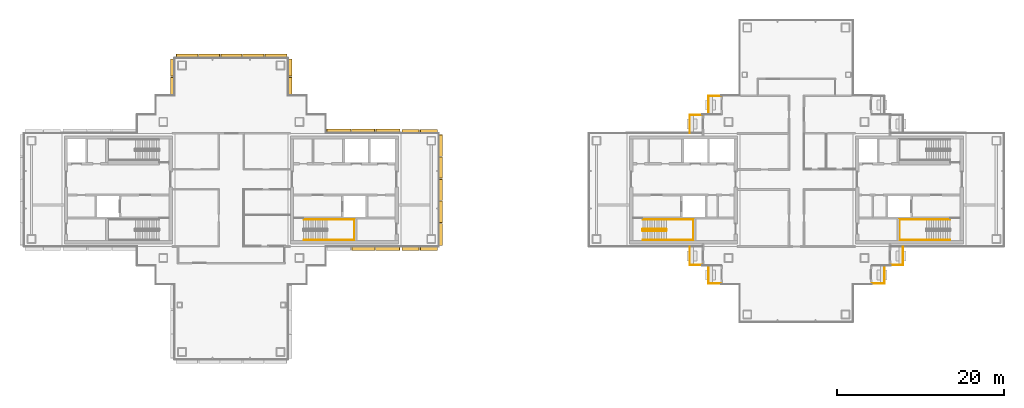
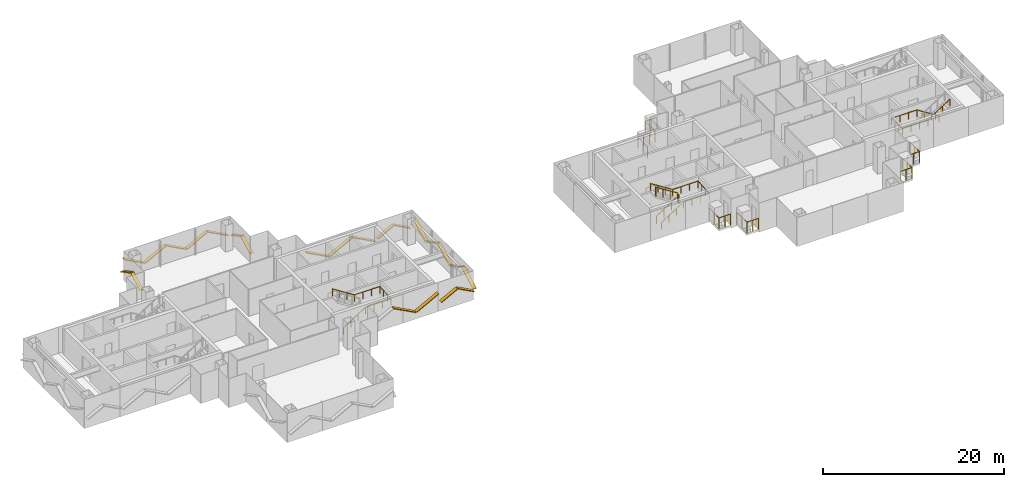
# One storey, part 15 of 17: 23 shading devices, 10 railings.
"""IFC4 building model written with IfcOpenShell, lengths in metres."""

from ifc_helpers import new_model, si_unit, direction, frame, origin, origin_2d, place, context, subcontext, project, spatial, rectangle, circle, extrude, material, material_profile, profile_set, type_object, element, save


model = new_model("IFC4")

# Units and contexts
model_context = context("Model", 3, precision=1e-05, world=origin(), true_north=direction((0.0, 1.0)))
body_context = subcontext(model_context, "Body", "Model", "MODEL_VIEW")
ifc_project = project(units=[si_unit("LENGTHUNIT", "METRE"), si_unit("AREAUNIT", "SQUARE_METRE"), si_unit("VOLUMEUNIT", "CUBIC_METRE"), si_unit("PLANEANGLEUNIT", "RADIAN"), si_unit("MASSUNIT", "GRAM", prefix="KILO")], contexts=[model_context])

# Site, building, storey
site_placement = place(None, origin())
site = spatial("IfcSite", under=ifc_project, at=site_placement, CompositionType="ELEMENT")
building_placement = place(site_placement, origin())
building = spatial("IfcBuilding", under=site, at=building_placement, Name="Shamsa Quay Exchange Towers", CompositionType="ELEMENT")
storey_placement = place(building_placement, frame((0.0, 0.0, 198.300048828125)))
storey = spatial("IfcBuildingStorey", under=building, at=storey_placement, Name="L47", CompositionType="ELEMENT", Elevation=198.300048828125)

# Railings
ifc_material_1 = material(Name="Steel S355, black powder-coated", Category="steel")
railing_type_1 = type_object("IfcRailingType", Name="BALCONY GUARD 1500", PredefinedType="GUARDRAIL", material=ifc_material_1)
for number, where, name in (
    (1, (24.72900390625, 11.199951171875, 0.0), "Balcony guard T2-PKEN L47"),
    (2, (22.47900390625, 8.949951171875, 0.0), "Balcony guard T2-PKEN L47"),
):
    element("IfcRailing", number, at=place(storey_placement, frame(where)), inside=storey, type_object=railing_type_1, Name=name, PredefinedType="GUARDRAIL", context=body_context, shape_type="SweptSolid", body=[
        extrude(circle(Radius=0.02392578125, at=origin_2d()), frame((0.0, 0.0, 1.47607421875), z_axis=(-1.0, 0.0, 0.0), x_axis=(0.0, -1.0, 0.0)), (0.0, 0.0, 1.0), 1.47900390625),
        extrude(circle(Radius=0.02392578125, at=origin_2d()), frame((-1.47900390625, 0.0, 1.47607421875), z_axis=(0.0, -1.0, 0.0), x_axis=(1.0, 0.0, 0.0)), (0.0, 0.0, 1.0), 2.161865234375),
        extrude(circle(Radius=0.02099609375, at=origin_2d()), origin(), (0.0, 0.0, 1.0), 1.451904296875),
        extrude(circle(Radius=0.02099609375, at=origin_2d()), frame((-0.739501953125, 0.0, 0.0)), (0.0, 0.0, 1.0), 1.451904296875),
        extrude(circle(Radius=0.02099609375, at=origin_2d()), frame((-1.47900390625, 0.0, 0.0)), (0.0, 0.0, 1.0), 1.451904296875),
        extrude(circle(Radius=0.02099609375, at=origin_2d()), frame((-1.47900390625, -1.0810546875, 0.0)), (0.0, 0.0, 1.0), 1.451904296875),
        extrude(circle(Radius=0.02099609375, at=origin_2d()), frame((-1.47900390625, -2.161865234375, 0.0)), (0.0, 0.0, 1.0), 1.451904296875),
    ])
for number, where, name in (
    (3, (21.0, -6.7880859375, 0.0), "Balcony guard T2-PKWN L47"),
    (4, (23.25, -9.0380859375, 0.0), "Balcony guard T2-PKWN L47"),
):
    element("IfcRailing", number, at=place(storey_placement, frame(where)), inside=storey, type_object=railing_type_1, Name=name, PredefinedType="GUARDRAIL", context=body_context, shape_type="SweptSolid", body=[
        extrude(circle(Radius=0.02392578125, at=origin_2d()), frame((0.0, 0.0, 1.47607421875), z_axis=(0.0, -1.0, 0.0), x_axis=(1.0, 0.0, 0.0)), (0.0, 0.0, 1.0), 2.161865234375),
        extrude(circle(Radius=0.02392578125, at=origin_2d()), frame((0.0, -2.161865234375, 1.47607421875), z_axis=(1.0, 0.0, 0.0), x_axis=(0.0, 1.0, 0.0)), (0.0, 0.0, 1.0), 1.47900390625),
        extrude(circle(Radius=0.02099609375, at=origin_2d()), origin(), (0.0, 0.0, 1.0), 1.451904296875),
        extrude(circle(Radius=0.02099609375, at=origin_2d()), frame((0.0, -1.0810546875, 0.0)), (0.0, 0.0, 1.0), 1.451904296875),
        extrude(circle(Radius=0.02099609375, at=origin_2d()), frame((0.0, -2.161865234375, 0.0)), (0.0, 0.0, 1.0), 1.451904296875),
        extrude(circle(Radius=0.02099609375, at=origin_2d()), frame((0.739501953125, -2.161865234375, 0.0)), (0.0, 0.0, 1.0), 1.451904296875),
        extrude(circle(Radius=0.02099609375, at=origin_2d()), frame((1.47900390625, -2.161865234375, 0.0)), (0.0, 0.0, 1.0), 1.451904296875),
    ])
for number, where, name in (
    (5, (42.77099609375, -11.199951171875, 0.0), "Balcony guard T2-PKWS L47"),
    (6, (45.02099609375, -8.949951171875, 0.0), "Balcony guard T2-PKWS L47"),
):
    element("IfcRailing", number, at=place(storey_placement, frame(where)), inside=storey, type_object=railing_type_1, Name=name, PredefinedType="GUARDRAIL", context=body_context, shape_type="SweptSolid", body=[
        extrude(circle(Radius=0.02392578125, at=origin_2d()), frame((0.0, 0.0, 1.47607421875), z_axis=(1.0, 0.0, 0.0), x_axis=(0.0, 1.0, 0.0)), (0.0, 0.0, 1.0), 1.47900390625),
        extrude(circle(Radius=0.02392578125, at=origin_2d()), frame((1.47900390625, 0.0, 1.47607421875), z_axis=(0.0, 1.0, 0.0), x_axis=(-1.0, 0.0, 0.0)), (0.0, 0.0, 1.0), 2.161865234375),
        extrude(circle(Radius=0.02099609375, at=origin_2d()), origin(), (0.0, 0.0, 1.0), 1.451904296875),
        extrude(circle(Radius=0.02099609375, at=origin_2d()), frame((0.739501953125, 0.0, 0.0)), (0.0, 0.0, 1.0), 1.451904296875),
        extrude(circle(Radius=0.02099609375, at=origin_2d()), frame((1.47900390625, 0.0, 0.0)), (0.0, 0.0, 1.0), 1.451904296875),
        extrude(circle(Radius=0.02099609375, at=origin_2d()), frame((1.47900390625, 1.0810546875, 0.0)), (0.0, 0.0, 1.0), 1.451904296875),
        extrude(circle(Radius=0.02099609375, at=origin_2d()), frame((1.47900390625, 2.161865234375, 0.0)), (0.0, 0.0, 1.0), 1.451904296875),
    ])

# Shading devices
ifc_material_2 = material(Name="Aluminium EN AW-6063 T6, black anodised", Category="aluminium")
ifc_material_profile = material_profile(ifc_material_2, rectangle(XDim=0.449951171875, YDim=0.10009765625, at=origin_2d()), Name="FIN450x100")
ifc_profile_set = profile_set([ifc_material_profile], Name="Aluminium EN AW-6063 T6, black anodised")
shading_device_type = type_object("IfcShadingDeviceType", Name="FIN 450x100 BLACK ALUMINIUM", PredefinedType="USERDEFINED", material=ifc_profile_set)
shading_device_1_placement = place(storey_placement, frame((-19.374755859375, -7.01904296875, 2.341064453125), z_axis=(0.882932416125, 0.0, -0.469500104957), x_axis=(0.0, 1.0, 0.0)))
element("IfcShadingDevice", 7, at=shading_device_1_placement, inside=storey, type_object=shading_device_type, Name="FIN T1 chevron rib", ObjectType="FIN", PredefinedType="USERDEFINED", context=body_context, shape_type="SweptSolid", body=[
    extrude(rectangle(XDim=0.449951171875, YDim=0.10009765625, at=origin_2d()), origin(), (0.0, 0.0, 1.0), 3.156982421875),
])
shading_device_2_placement = place(storey_placement, frame((-16.4873046875, -7.01904296875, 0.845703125), z_axis=(0.882964189293, 0.0, 0.469440348102), x_axis=(0.0, 1.0, 0.0)))
element("IfcShadingDevice", 8, at=shading_device_2_placement, inside=storey, type_object=shading_device_type, Name="FIN T1 chevron rib", ObjectType="FIN", PredefinedType="USERDEFINED", context=body_context, shape_type="SweptSolid", body=[
    extrude(rectangle(XDim=0.449951171875, YDim=0.10009765625, at=origin_2d()), origin(), (0.0, 0.0, 1.0), 3.21337890625),
])
for number, where, z_axis, x_axis, name in (
    (9, (-13.35009765625, -7.014892578125, 1.054931640625), (0.882937310539, 0.0, 0.469490900507), (0.0, 1.0, 0.0), "FIN T1 chevron rib"),
    (10, (-11.199951171875, -7.014892578125, 2.14501953125), (0.882937310539, 0.0, -0.469490900507), (0.0, 1.0, 0.0), "FIN T1 chevron rib"),
):
    element("IfcShadingDevice", number, at=place(storey_placement, frame(where, z_axis=z_axis, x_axis=x_axis)), inside=storey, type_object=shading_device_type, Name=name, ObjectType="FIN", PredefinedType="USERDEFINED", context=body_context, shape_type="SweptSolid", body=[
        extrude(rectangle(XDim=0.449951171875, YDim=0.10009765625, at=origin_2d()), origin(), (0.0, 0.0, 1.0), 2.32177734375),
    ])
shading_device_3_placement = place(storey_placement, frame((-8.735107421875, -6.60009765625, 0.911376953125), z_axis=(0.0, 0.882944327895, 0.469477703238), x_axis=(-1.0, 0.0, 0.0)))
element("IfcShadingDevice", 11, at=shading_device_3_placement, inside=storey, type_object=shading_device_type, Name="FIN T1 chevron rib", ObjectType="FIN", PredefinedType="USERDEFINED", context=body_context, shape_type="SweptSolid", body=[
    extrude(rectangle(XDim=0.449951171875, YDim=0.10009765625, at=origin_2d()), origin(), (0.0, 0.0, 1.0), 2.933349609375),
])
shading_device_4_placement = place(storey_placement, frame((-8.735107421875, -3.909912109375, 2.275146484375), z_axis=(0.0, 0.882925540975, -0.469513033997), x_axis=(-1.0, 0.0, 0.0)))
element("IfcShadingDevice", 12, at=shading_device_4_placement, inside=storey, type_object=shading_device_type, Name="FIN T1 chevron rib", ObjectType="FIN", PredefinedType="USERDEFINED", context=body_context, shape_type="SweptSolid", body=[
    extrude(rectangle(XDim=0.449951171875, YDim=0.10009765625, at=origin_2d()), origin(), (0.0, 0.0, 1.0), 2.87646484375),
])
shading_device_5_placement = place(storey_placement, frame((-8.735107421875, -1.27001953125, 0.924560546875), z_axis=(0.0, 0.882944248312, 0.469477852909), x_axis=(-1.0, 0.0, 0.0)))
element("IfcShadingDevice", 13, at=shading_device_5_placement, inside=storey, type_object=shading_device_type, Name="FIN T1 chevron rib", ObjectType="FIN", PredefinedType="USERDEFINED", context=body_context, shape_type="SweptSolid", body=[
    extrude(rectangle(XDim=0.449951171875, YDim=0.10009765625, at=origin_2d()), origin(), (0.0, 0.0, 1.0), 2.876708984375),
])
shading_device_6_placement = place(storey_placement, frame((-8.735107421875, 1.3701171875, 2.275146484375), z_axis=(0.0, 0.882925540975, -0.469513033997), x_axis=(-1.0, 0.0, 0.0)))
element("IfcShadingDevice", 14, at=shading_device_6_placement, inside=storey, type_object=shading_device_type, Name="FIN T1 chevron rib", ObjectType="FIN", PredefinedType="USERDEFINED", context=body_context, shape_type="SweptSolid", body=[
    extrude(rectangle(XDim=0.449951171875, YDim=0.10009765625, at=origin_2d()), origin(), (0.0, 0.0, 1.0), 2.87646484375),
])
shading_device_7_placement = place(storey_placement, frame((-8.735107421875, 4.010009765625, 0.911376953125), z_axis=(0.0, 0.882944327895, 0.469477703238), x_axis=(-1.0, 0.0, 0.0)))
element("IfcShadingDevice", 15, at=shading_device_7_placement, inside=storey, type_object=shading_device_type, Name="FIN T1 chevron rib", ObjectType="FIN", PredefinedType="USERDEFINED", context=body_context, shape_type="SweptSolid", body=[
    extrude(rectangle(XDim=0.449951171875, YDim=0.10009765625, at=origin_2d()), origin(), (0.0, 0.0, 1.0), 2.933349609375),
])
for number, where, z_axis, x_axis, name in (
    (16, (-9.14990234375, 7.014892578125, 1.054931640625), (-0.882937310539, 0.0, 0.469490900507), (0.0, -1.0, 0.0), "FIN T1 chevron rib"),
    (17, (-11.300048828125, 7.014892578125, 2.14501953125), (-0.882937310539, 0.0, -0.469490900507), (0.0, -1.0, 0.0), "FIN T1 chevron rib"),
):
    element("IfcShadingDevice", number, at=place(storey_placement, frame(where, z_axis=z_axis, x_axis=x_axis)), inside=storey, type_object=shading_device_type, Name=name, ObjectType="FIN", PredefinedType="USERDEFINED", context=body_context, shape_type="SweptSolid", body=[
        extrude(rectangle(XDim=0.449951171875, YDim=0.10009765625, at=origin_2d()), origin(), (0.0, 0.0, 1.0), 2.32177734375),
    ])
shading_device_8_placement = place(storey_placement, frame((-13.64990234375, 7.01904296875, 0.84228515625), z_axis=(-0.882953107739, 0.0, 0.469461190658), x_axis=(0.0, -1.0, 0.0)))
element("IfcShadingDevice", 18, at=shading_device_8_placement, inside=storey, type_object=shading_device_type, Name="FIN T1 chevron rib", ObjectType="FIN", PredefinedType="USERDEFINED", context=body_context, shape_type="SweptSolid", body=[
    extrude(rectangle(XDim=0.449951171875, YDim=0.10009765625, at=origin_2d()), origin(), (0.0, 0.0, 1.0), 3.22802734375),
])
shading_device_9_placement = place(storey_placement, frame((-16.60009765625, 7.01904296875, 2.34423828125), z_axis=(-0.882936223509, 0.0, -0.469492944799), x_axis=(0.0, -1.0, 0.0)))
element("IfcShadingDevice", 19, at=shading_device_9_placement, inside=storey, type_object=shading_device_type, Name="FIN T1 chevron rib", ObjectType="FIN", PredefinedType="USERDEFINED", context=body_context, shape_type="SweptSolid", body=[
    extrude(rectangle(XDim=0.449951171875, YDim=0.10009765625, at=origin_2d()), origin(), (0.0, 0.0, 1.0), 3.1708984375),
])
shading_device_10_placement = place(storey_placement, frame((-19.5, 7.01904296875, 0.84228515625), z_axis=(-0.882953107739, 0.0, 0.469461190658), x_axis=(0.0, -1.0, 0.0)))
element("IfcShadingDevice", 20, at=shading_device_10_placement, inside=storey, type_object=shading_device_type, Name="FIN T1 chevron rib", ObjectType="FIN", PredefinedType="USERDEFINED", context=body_context, shape_type="SweptSolid", body=[
    extrude(rectangle(XDim=0.449951171875, YDim=0.10009765625, at=origin_2d()), origin(), (0.0, 0.0, 1.0), 3.22802734375),
])
for number, where, z_axis, x_axis, name in (
    (21, (-26.735107421875, 11.43798828125, 1.06005859375), (0.0, 0.882960384929, 0.469447503611), (-1.0, 0.0, 0.0), "FIN T1 chevron rib"),
    (22, (-26.735107421875, 13.569091796875, 2.139892578125), (0.0, 0.882960384929, -0.469447503611), (-1.0, 0.0, 0.0), "FIN T1 chevron rib"),
):
    element("IfcShadingDevice", number, at=place(storey_placement, frame(where, z_axis=z_axis, x_axis=x_axis)), inside=storey, type_object=shading_device_type, Name=name, ObjectType="FIN", PredefinedType="USERDEFINED", context=body_context, shape_type="SweptSolid", body=[
        extrude(rectangle(XDim=0.449951171875, YDim=0.10009765625, at=origin_2d()), origin(), (0.0, 0.0, 1.0), 2.30029296875),
    ])
shading_device_11_placement = place(storey_placement, frame((-27.14990234375, 16.014892578125, 0.911376953125), z_axis=(-0.882944327895, 0.0, 0.469477703238), x_axis=(0.0, -1.0, 0.0)))
element("IfcShadingDevice", 23, at=shading_device_11_placement, inside=storey, type_object=shading_device_type, Name="FIN T1 chevron rib", ObjectType="FIN", PredefinedType="USERDEFINED", context=body_context, shape_type="SweptSolid", body=[
    extrude(rectangle(XDim=0.449951171875, YDim=0.10009765625, at=origin_2d()), origin(), (0.0, 0.0, 1.0), 2.933349609375),
])
shading_device_12_placement = place(storey_placement, frame((-29.840087890625, 16.014892578125, 2.275146484375), z_axis=(-0.882925540975, 0.0, -0.469513033997), x_axis=(0.0, -1.0, 0.0)))
element("IfcShadingDevice", 24, at=shading_device_12_placement, inside=storey, type_object=shading_device_type, Name="FIN T1 chevron rib", ObjectType="FIN", PredefinedType="USERDEFINED", context=body_context, shape_type="SweptSolid", body=[
    extrude(rectangle(XDim=0.449951171875, YDim=0.10009765625, at=origin_2d()), origin(), (0.0, 0.0, 1.0), 2.87646484375),
])
shading_device_13_placement = place(storey_placement, frame((-32.47998046875, 16.014892578125, 0.924560546875), z_axis=(-0.882944248312, 0.0, 0.469477852909), x_axis=(0.0, -1.0, 0.0)))
element("IfcShadingDevice", 25, at=shading_device_13_placement, inside=storey, type_object=shading_device_type, Name="FIN T1 chevron rib", ObjectType="FIN", PredefinedType="USERDEFINED", context=body_context, shape_type="SweptSolid", body=[
    extrude(rectangle(XDim=0.449951171875, YDim=0.10009765625, at=origin_2d()), origin(), (0.0, 0.0, 1.0), 2.876708984375),
])
shading_device_14_placement = place(storey_placement, frame((-35.1201171875, 16.014892578125, 2.275146484375), z_axis=(-0.882925540975, 0.0, -0.469513033997), x_axis=(0.0, -1.0, 0.0)))
element("IfcShadingDevice", 26, at=shading_device_14_placement, inside=storey, type_object=shading_device_type, Name="FIN T1 chevron rib", ObjectType="FIN", PredefinedType="USERDEFINED", context=body_context, shape_type="SweptSolid", body=[
    extrude(rectangle(XDim=0.449951171875, YDim=0.10009765625, at=origin_2d()), origin(), (0.0, 0.0, 1.0), 2.87646484375),
])
shading_device_15_placement = place(storey_placement, frame((-37.760009765625, 16.014892578125, 0.911376953125), z_axis=(-0.882944327895, 0.0, 0.469477703238), x_axis=(0.0, -1.0, 0.0)))
element("IfcShadingDevice", 27, at=shading_device_15_placement, inside=storey, type_object=shading_device_type, Name="FIN T1 chevron rib", ObjectType="FIN", PredefinedType="USERDEFINED", context=body_context, shape_type="SweptSolid", body=[
    extrude(rectangle(XDim=0.449951171875, YDim=0.10009765625, at=origin_2d()), origin(), (0.0, 0.0, 1.0), 2.933349609375),
])
for number, where, z_axis, x_axis, name in (
    (28, (-40.764892578125, 15.60009765625, 1.054931640625), (0.0, -0.882937310539, 0.469490900507), (1.0, 0.0, 0.0), "FIN T1 chevron rib"),
    (29, (-40.764892578125, 13.449951171875, 2.14501953125), (0.0, -0.882937310539, -0.469490900507), (1.0, 0.0, 0.0), "FIN T1 chevron rib"),
):
    element("IfcShadingDevice", number, at=place(storey_placement, frame(where, z_axis=z_axis, x_axis=x_axis)), inside=storey, type_object=shading_device_type, Name=name, ObjectType="FIN", PredefinedType="USERDEFINED", context=body_context, shape_type="SweptSolid", body=[
        extrude(rectangle(XDim=0.449951171875, YDim=0.10009765625, at=origin_2d()), origin(), (0.0, 0.0, 1.0), 2.32177734375),
    ])

# Railings
ifc_material_3 = material(Name="Stainless steel", Category="steel")
railing_type_2 = type_object("IfcRailingType", Name="STAIR GUARD 1100", PredefinedType="GUARDRAIL", material=ifc_material_3)
railing_1_placement = place(storey_placement, frame((15.39990234375, -4.89990234375, 0.17724609375)))
element("IfcRailing", 30, at=railing_1_placement, inside=storey, type_object=railing_type_2, Name="L47 ST4 stair guard 1", PredefinedType="GUARDRAIL", context=body_context, shape_type="SweptSolid", body=[
    extrude(circle(Radius=0.02392578125, at=origin_2d()), frame((0.0, 0.0, 1.076171875), z_axis=(0.844908973607, 0.0, 0.534910110503), x_axis=(0.0, 1.0, 0.0)), (0.0, 0.0, 1.0), 3.31396484375),
    extrude(circle(Radius=0.02392578125, at=origin_2d()), frame((2.800048828125, 0.0, 2.8486328125), z_axis=(0.708833529934, 0.705375805398, 0.0), x_axis=(-0.705375805398, 0.708833529934, 0.0)), (0.0, 0.0, 1.0), 0.070556640625),
    extrude(circle(Radius=0.02392578125, at=origin_2d()), frame((2.85009765625, 0.0498046875, 2.8486328125), z_axis=(0.0, 1.0, 0.0), x_axis=(-1.0, 0.0, 0.0)), (0.0, 0.0, 1.0), 0.150146484375),
    extrude(circle(Radius=0.02392578125, at=origin_2d()), frame((2.85009765625, 0.199951171875, 2.8486328125), z_axis=(-0.262233686654, 0.262233686654, 0.928691007369), x_axis=(-0.707106781187, -0.707106781187, 0.0)), (0.0, 0.0, 1.0), 0.19091796875),
    extrude(circle(Radius=0.02392578125, at=origin_2d()), frame((2.800048828125, 0.25, 3.02587890625), z_axis=(-0.844908973607, 0.0, 0.534910110503), x_axis=(0.0, -1.0, 0.0)), (0.0, 0.0, 1.0), 3.31396484375),
    extrude(circle(Radius=0.02392578125, at=origin_2d()), frame((0.0, 0.25, 4.798828125), z_axis=(-0.24142163986, -0.970420317083, 0.0), x_axis=(0.970420317083, -0.24142163986, 0.0)), (0.0, 0.0, 1.0), 0.206298828125),
    extrude(circle(Radius=0.02392578125, at=origin_2d()), frame((-0.0498046875, 0.0498046875, 4.798828125), z_axis=(0.0, 1.0, 0.0), x_axis=(-1.0, 0.0, 0.0)), (0.0, 0.0, 1.0), 0.150146484375),
    extrude(circle(Radius=0.02099609375, at=origin_2d()), origin(), (0.0, 0.0, 1.0), 1.052001953125),
    extrude(circle(Radius=0.02099609375, at=origin_2d()), frame((0.933349609375, 0.0, 0.5908203125)), (0.0, 0.0, 1.0), 1.052001953125),
    extrude(circle(Radius=0.02099609375, at=origin_2d()), frame((1.86669921875, 0.0, 1.181884765625)), (0.0, 0.0, 1.0), 1.052001953125),
    extrude(circle(Radius=0.02099609375, at=origin_2d()), frame((2.800048828125, 0.0, 1.772705078125)), (0.0, 0.0, 1.0), 1.052001953125),
    extrude(circle(Radius=0.02099609375, at=origin_2d()), frame((2.85009765625, 0.0498046875, 1.772705078125)), (0.0, 0.0, 1.0), 1.052001953125),
    extrude(circle(Radius=0.02099609375, at=origin_2d()), frame((2.85009765625, 0.199951171875, 1.772705078125)), (0.0, 0.0, 1.0), 1.052001953125),
    extrude(circle(Radius=0.02099609375, at=origin_2d()), frame((2.800048828125, 0.25, 1.949951171875)), (0.0, 0.0, 1.0), 1.052001953125),
    extrude(circle(Radius=0.02099609375, at=origin_2d()), frame((1.86669921875, 0.25, 2.540771484375)), (0.0, 0.0, 1.0), 1.052001953125),
    extrude(circle(Radius=0.02099609375, at=origin_2d()), frame((0.933349609375, 0.25, 3.1318359375)), (0.0, 0.0, 1.0), 1.052001953125),
    extrude(circle(Radius=0.02099609375, at=origin_2d()), frame((0.0, 0.25, 3.72265625)), (0.0, 0.0, 1.0), 1.052001953125),
    extrude(circle(Radius=0.02099609375, at=origin_2d()), frame((-0.0498046875, 0.0498046875, 3.72265625)), (0.0, 0.0, 1.0), 1.052001953125),
    extrude(circle(Radius=0.02099609375, at=origin_2d()), frame((-0.0498046875, 0.199951171875, 3.72265625)), (0.0, 0.0, 1.0), 1.052001953125),
])
railing_type_3 = type_object("IfcRailingType", Name="STAIR HANDRAIL 900", PredefinedType="HANDRAIL", material=ifc_material_3)
railing_2_placement = place(storey_placement, frame((-25.10009765625, -6.0, 0.17724609375)))
element("IfcRailing", 31, at=railing_2_placement, inside=storey, type_object=railing_type_3, Name="L47 ST1 stair handrail 1", PredefinedType="HANDRAIL", context=body_context, shape_type="SweptSolid", body=[
    extrude(circle(Radius=0.02392578125, at=origin_2d()), frame((0.0, 0.0, 0.8759765625), z_axis=(0.844908973607, 0.0, 0.534910110503), x_axis=(0.0, 1.0, 0.0)), (0.0, 0.0, 1.0), 3.31396484375),
    extrude(circle(Radius=0.02392578125, at=origin_2d()), frame((2.800048828125, 0.0, 2.6484375), z_axis=(1.0, 0.0, 0.0), x_axis=(0.0, 1.0, 0.0)), (0.0, 0.0, 1.0), 3.25),
    extrude(circle(Radius=0.02392578125, at=origin_2d()), frame((6.050048828125, 0.0, 2.6484375), z_axis=(0.0, 0.997393199914, 0.07215819264), x_axis=(-1.0, 0.0, 0.0)), (0.0, 0.0, 1.0), 2.456298828125),
    extrude(circle(Radius=0.02392578125, at=origin_2d()), frame((6.050048828125, 2.449951171875, 2.82568359375), z_axis=(-1.0, 0.0, 0.0), x_axis=(0.0, -1.0, 0.0)), (0.0, 0.0, 1.0), 3.25),
    extrude(circle(Radius=0.02392578125, at=origin_2d()), frame((2.800048828125, 2.449951171875, 2.82568359375), z_axis=(-0.844908973607, 0.0, 0.534910110503), x_axis=(0.0, -1.0, 0.0)), (0.0, 0.0, 1.0), 3.31396484375),
    extrude(circle(Radius=0.02099609375, at=origin_2d()), origin(), (0.0, 0.0, 1.0), 0.851806640625),
    extrude(circle(Radius=0.02099609375, at=origin_2d()), frame((0.933349609375, 0.0, 0.5908203125)), (0.0, 0.0, 1.0), 0.851806640625),
    extrude(circle(Radius=0.02099609375, at=origin_2d()), frame((1.86669921875, 0.0, 1.181884765625)), (0.0, 0.0, 1.0), 0.851806640625),
    extrude(circle(Radius=0.02099609375, at=origin_2d()), frame((2.800048828125, 0.0, 1.772705078125)), (0.0, 0.0, 1.0), 0.851806640625),
    extrude(circle(Radius=0.02099609375, at=origin_2d()), frame((3.88330078125, 0.0, 1.772705078125)), (0.0, 0.0, 1.0), 0.851806640625),
    extrude(circle(Radius=0.02099609375, at=origin_2d()), frame((4.966796875, 0.0, 1.772705078125)), (0.0, 0.0, 1.0), 0.851806640625),
    extrude(circle(Radius=0.02099609375, at=origin_2d()), frame((6.050048828125, 0.0, 1.772705078125)), (0.0, 0.0, 1.0), 0.851806640625),
    extrude(circle(Radius=0.02099609375, at=origin_2d()), frame((6.050048828125, 0.816650390625, 1.831787109375)), (0.0, 0.0, 1.0), 0.851806640625),
    extrude(circle(Radius=0.02099609375, at=origin_2d()), frame((6.050048828125, 1.63330078125, 1.890869140625)), (0.0, 0.0, 1.0), 0.851806640625),
    extrude(circle(Radius=0.02099609375, at=origin_2d()), frame((6.050048828125, 2.449951171875, 1.949951171875)), (0.0, 0.0, 1.0), 0.851806640625),
    extrude(circle(Radius=0.02099609375, at=origin_2d()), frame((4.966796875, 2.449951171875, 1.949951171875)), (0.0, 0.0, 1.0), 0.851806640625),
    extrude(circle(Radius=0.02099609375, at=origin_2d()), frame((3.88330078125, 2.449951171875, 1.949951171875)), (0.0, 0.0, 1.0), 0.851806640625),
    extrude(circle(Radius=0.02099609375, at=origin_2d()), frame((2.800048828125, 2.449951171875, 1.949951171875)), (0.0, 0.0, 1.0), 0.851806640625),
    extrude(circle(Radius=0.02099609375, at=origin_2d()), frame((1.86669921875, 2.449951171875, 2.540771484375)), (0.0, 0.0, 1.0), 0.851806640625),
    extrude(circle(Radius=0.02099609375, at=origin_2d()), frame((0.933349609375, 2.449951171875, 3.1318359375)), (0.0, 0.0, 1.0), 0.851806640625),
    extrude(circle(Radius=0.02099609375, at=origin_2d()), frame((0.0, 2.449951171875, 3.72265625)), (0.0, 0.0, 1.0), 0.851806640625),
])
railing_3_placement = place(storey_placement, frame((15.39990234375, -6.0, 0.17724609375)))
element("IfcRailing", 32, at=railing_3_placement, inside=storey, type_object=railing_type_3, Name="L47 ST4 stair handrail 1", PredefinedType="HANDRAIL", context=body_context, shape_type="SweptSolid", body=[
    extrude(circle(Radius=0.02392578125, at=origin_2d()), frame((0.0, 0.0, 0.8759765625), z_axis=(0.844908973607, 0.0, 0.534910110503), x_axis=(0.0, 1.0, 0.0)), (0.0, 0.0, 1.0), 3.31396484375),
    extrude(circle(Radius=0.02392578125, at=origin_2d()), frame((2.800048828125, 0.0, 2.6484375), z_axis=(1.0, 0.0, 0.0), x_axis=(0.0, 1.0, 0.0)), (0.0, 0.0, 1.0), 3.25),
    extrude(circle(Radius=0.02392578125, at=origin_2d()), frame((6.050048828125, 0.0, 2.6484375), z_axis=(0.0, 0.997393199914, 0.07215819264), x_axis=(-1.0, 0.0, 0.0)), (0.0, 0.0, 1.0), 2.456298828125),
    extrude(circle(Radius=0.02392578125, at=origin_2d()), frame((6.050048828125, 2.449951171875, 2.82568359375), z_axis=(-1.0, 0.0, 0.0), x_axis=(0.0, -1.0, 0.0)), (0.0, 0.0, 1.0), 3.25),
    extrude(circle(Radius=0.02392578125, at=origin_2d()), frame((2.800048828125, 2.449951171875, 2.82568359375), z_axis=(-0.844908973607, 0.0, 0.534910110503), x_axis=(0.0, -1.0, 0.0)), (0.0, 0.0, 1.0), 3.31396484375),
    extrude(circle(Radius=0.02099609375, at=origin_2d()), origin(), (0.0, 0.0, 1.0), 0.851806640625),
    extrude(circle(Radius=0.02099609375, at=origin_2d()), frame((0.933349609375, 0.0, 0.5908203125)), (0.0, 0.0, 1.0), 0.851806640625),
    extrude(circle(Radius=0.02099609375, at=origin_2d()), frame((1.86669921875, 0.0, 1.181884765625)), (0.0, 0.0, 1.0), 0.851806640625),
    extrude(circle(Radius=0.02099609375, at=origin_2d()), frame((2.800048828125, 0.0, 1.772705078125)), (0.0, 0.0, 1.0), 0.851806640625),
    extrude(circle(Radius=0.02099609375, at=origin_2d()), frame((3.88330078125, 0.0, 1.772705078125)), (0.0, 0.0, 1.0), 0.851806640625),
    extrude(circle(Radius=0.02099609375, at=origin_2d()), frame((4.966796875, 0.0, 1.772705078125)), (0.0, 0.0, 1.0), 0.851806640625),
    extrude(circle(Radius=0.02099609375, at=origin_2d()), frame((6.050048828125, 0.0, 1.772705078125)), (0.0, 0.0, 1.0), 0.851806640625),
    extrude(circle(Radius=0.02099609375, at=origin_2d()), frame((6.050048828125, 0.816650390625, 1.831787109375)), (0.0, 0.0, 1.0), 0.851806640625),
    extrude(circle(Radius=0.02099609375, at=origin_2d()), frame((6.050048828125, 1.63330078125, 1.890869140625)), (0.0, 0.0, 1.0), 0.851806640625),
    extrude(circle(Radius=0.02099609375, at=origin_2d()), frame((6.050048828125, 2.449951171875, 1.949951171875)), (0.0, 0.0, 1.0), 0.851806640625),
    extrude(circle(Radius=0.02099609375, at=origin_2d()), frame((4.966796875, 2.449951171875, 1.949951171875)), (0.0, 0.0, 1.0), 0.851806640625),
    extrude(circle(Radius=0.02099609375, at=origin_2d()), frame((3.88330078125, 2.449951171875, 1.949951171875)), (0.0, 0.0, 1.0), 0.851806640625),
    extrude(circle(Radius=0.02099609375, at=origin_2d()), frame((2.800048828125, 2.449951171875, 1.949951171875)), (0.0, 0.0, 1.0), 0.851806640625),
    extrude(circle(Radius=0.02099609375, at=origin_2d()), frame((1.86669921875, 2.449951171875, 2.540771484375)), (0.0, 0.0, 1.0), 0.851806640625),
    extrude(circle(Radius=0.02099609375, at=origin_2d()), frame((0.933349609375, 2.449951171875, 3.1318359375)), (0.0, 0.0, 1.0), 0.851806640625),
    extrude(circle(Radius=0.02099609375, at=origin_2d()), frame((0.0, 2.449951171875, 3.72265625)), (0.0, 0.0, 1.0), 0.851806640625),
])
railing_4_placement = place(storey_placement, frame((52.10009765625, -3.550048828125, 0.17724609375)))
element("IfcRailing", 33, at=railing_4_placement, inside=storey, type_object=railing_type_3, Name="L47 ST5 stair handrail 1", PredefinedType="HANDRAIL", context=body_context, shape_type="SweptSolid", body=[
    extrude(circle(Radius=0.02392578125, at=origin_2d()), frame((0.0, 0.0, 0.8759765625), z_axis=(-0.844908973607, 0.0, 0.534910110503), x_axis=(0.0, -1.0, 0.0)), (0.0, 0.0, 1.0), 3.31396484375),
    extrude(circle(Radius=0.02392578125, at=origin_2d()), frame((-2.800048828125, 0.0, 2.6484375), z_axis=(-1.0, 0.0, 0.0), x_axis=(0.0, -1.0, 0.0)), (0.0, 0.0, 1.0), 3.25),
    extrude(circle(Radius=0.02392578125, at=origin_2d()), frame((-6.050048828125, 0.0, 2.6484375), z_axis=(0.0, -0.997393199914, 0.07215819264), x_axis=(1.0, 0.0, 0.0)), (0.0, 0.0, 1.0), 2.456298828125),
    extrude(circle(Radius=0.02392578125, at=origin_2d()), frame((-6.050048828125, -2.449951171875, 2.82568359375), z_axis=(1.0, 0.0, 0.0), x_axis=(0.0, 1.0, 0.0)), (0.0, 0.0, 1.0), 3.25),
    extrude(circle(Radius=0.02392578125, at=origin_2d()), frame((-2.800048828125, -2.449951171875, 2.82568359375), z_axis=(0.844908973607, 0.0, 0.534910110503), x_axis=(0.0, 1.0, 0.0)), (0.0, 0.0, 1.0), 3.31396484375),
    extrude(circle(Radius=0.02099609375, at=origin_2d()), origin(), (0.0, 0.0, 1.0), 0.851806640625),
    extrude(circle(Radius=0.02099609375, at=origin_2d()), frame((-0.933349609375, 0.0, 0.5908203125)), (0.0, 0.0, 1.0), 0.851806640625),
    extrude(circle(Radius=0.02099609375, at=origin_2d()), frame((-1.86669921875, 0.0, 1.181884765625)), (0.0, 0.0, 1.0), 0.851806640625),
    extrude(circle(Radius=0.02099609375, at=origin_2d()), frame((-2.800048828125, 0.0, 1.772705078125)), (0.0, 0.0, 1.0), 0.851806640625),
    extrude(circle(Radius=0.02099609375, at=origin_2d()), frame((-3.88330078125, 0.0, 1.772705078125)), (0.0, 0.0, 1.0), 0.851806640625),
    extrude(circle(Radius=0.02099609375, at=origin_2d()), frame((-4.966796875, 0.0, 1.772705078125)), (0.0, 0.0, 1.0), 0.851806640625),
    extrude(circle(Radius=0.02099609375, at=origin_2d()), frame((-6.050048828125, 0.0, 1.772705078125)), (0.0, 0.0, 1.0), 0.851806640625),
    extrude(circle(Radius=0.02099609375, at=origin_2d()), frame((-6.050048828125, -0.816650390625, 1.831787109375)), (0.0, 0.0, 1.0), 0.851806640625),
    extrude(circle(Radius=0.02099609375, at=origin_2d()), frame((-6.050048828125, -1.63330078125, 1.890869140625)), (0.0, 0.0, 1.0), 0.851806640625),
    extrude(circle(Radius=0.02099609375, at=origin_2d()), frame((-6.050048828125, -2.449951171875, 1.949951171875)), (0.0, 0.0, 1.0), 0.851806640625),
    extrude(circle(Radius=0.02099609375, at=origin_2d()), frame((-4.966796875, -2.449951171875, 1.949951171875)), (0.0, 0.0, 1.0), 0.851806640625),
    extrude(circle(Radius=0.02099609375, at=origin_2d()), frame((-3.88330078125, -2.449951171875, 1.949951171875)), (0.0, 0.0, 1.0), 0.851806640625),
    extrude(circle(Radius=0.02099609375, at=origin_2d()), frame((-2.800048828125, -2.449951171875, 1.949951171875)), (0.0, 0.0, 1.0), 0.851806640625),
    extrude(circle(Radius=0.02099609375, at=origin_2d()), frame((-1.86669921875, -2.449951171875, 2.540771484375)), (0.0, 0.0, 1.0), 0.851806640625),
    extrude(circle(Radius=0.02099609375, at=origin_2d()), frame((-0.933349609375, -2.449951171875, 3.1318359375)), (0.0, 0.0, 1.0), 0.851806640625),
    extrude(circle(Radius=0.02099609375, at=origin_2d()), frame((0.0, -2.449951171875, 3.72265625)), (0.0, 0.0, 1.0), 0.851806640625),
])

save(model, "model.ifc")
